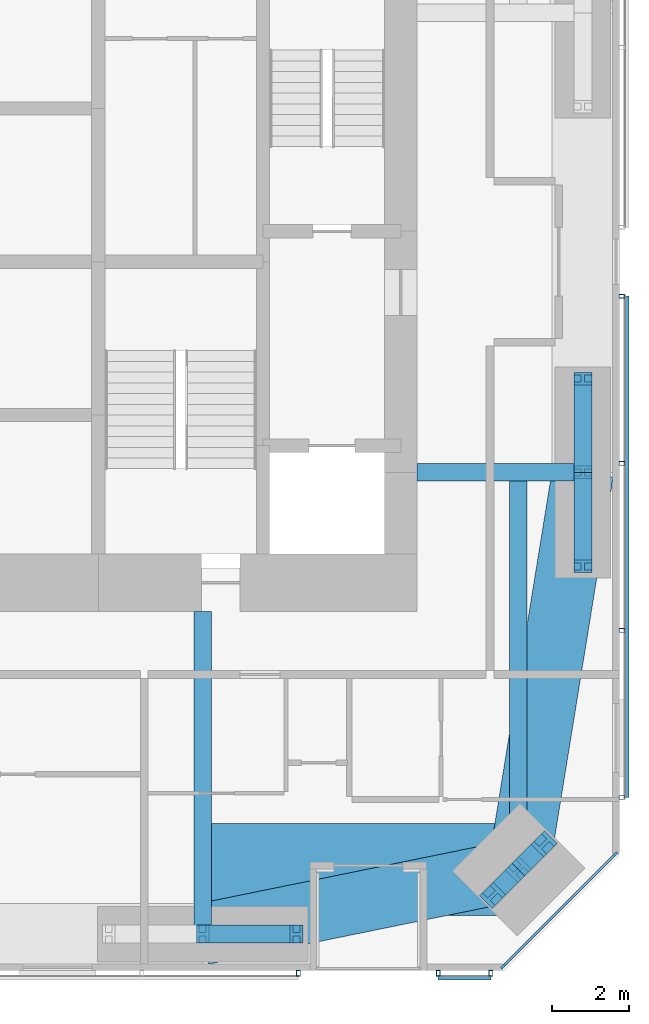
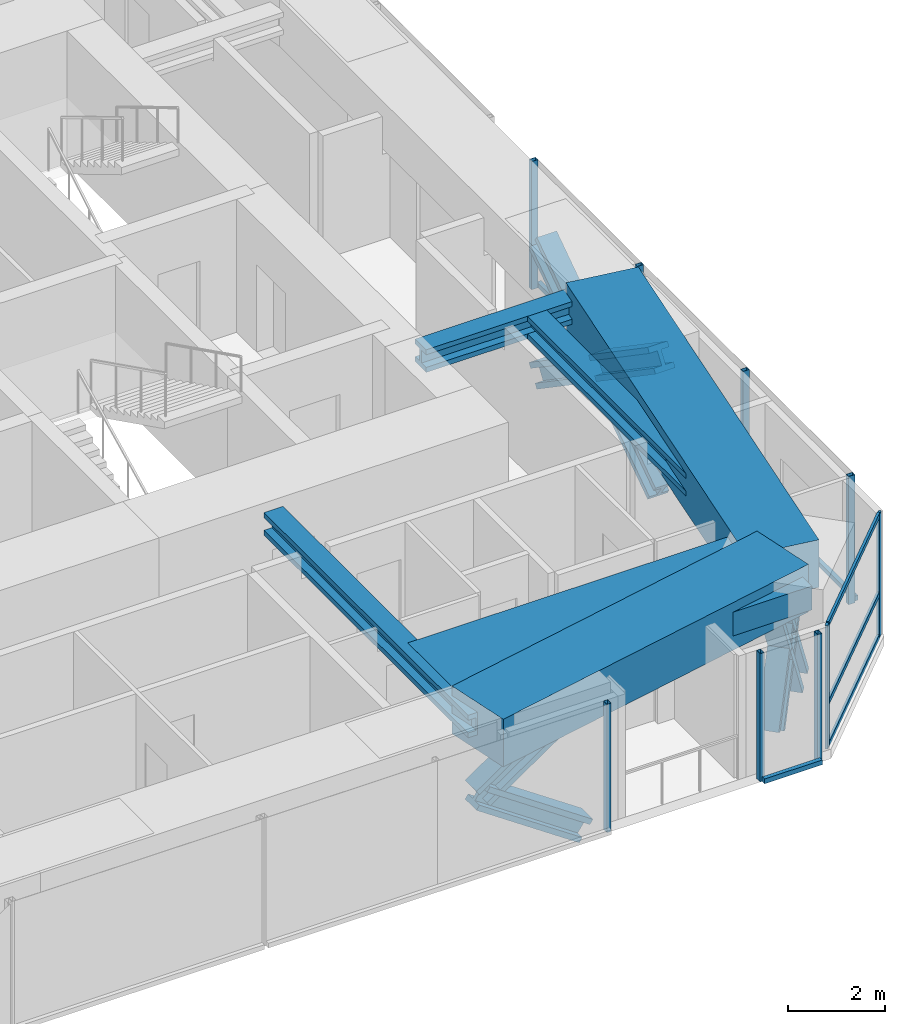
# One storey, part 8 of 23: 24 members, 6 beams, 4 elements without a shape of their own.
"""IFC4 building model written with IfcOpenShell, lengths in metres."""

from ifc_helpers import new_model, si_unit, direction, frame, origin, origin_2d, place, context, subcontext, project, spatial, rectangle, hollow_rectangle, i_section, extrude, material, material_profile, profile_set, type_object, element, aggregate, save


model = new_model("IFC4")

# Units and contexts
model_context = context("Model", 3, precision=1e-05, world=origin(), true_north=direction((0.0, 1.0)))
body_context = subcontext(model_context, "Body", "Model", "MODEL_VIEW")
ifc_project = project(units=[si_unit("LENGTHUNIT", "METRE"), si_unit("AREAUNIT", "SQUARE_METRE"), si_unit("VOLUMEUNIT", "CUBIC_METRE"), si_unit("PLANEANGLEUNIT", "RADIAN"), si_unit("MASSUNIT", "GRAM", prefix="KILO")], contexts=[model_context])

# Site, building, storey
site_placement = place(None, origin())
site = spatial("IfcSite", under=ifc_project, at=site_placement, CompositionType="ELEMENT")
building_placement = place(site_placement, origin())
building = spatial("IfcBuilding", under=site, at=building_placement, Name="Jalousie Tower", CompositionType="ELEMENT")
storey_placement = place(building_placement, frame((0.0, 0.0, 118.25)))
storey = spatial("IfcBuildingStorey", under=building, at=storey_placement, Name="L32", CompositionType="ELEMENT", Elevation=118.25)

# Curtain wall, members
ifc_material_1 = material(Name="Aluminium curtain wall", Category="aluminium")
curtain_wall_type_1 = type_object("IfcCurtainWallType", Name="CORNER WINDOW WALL", PredefinedType="USERDEFINED", material=ifc_material_1)
curtain_wall_1_placement = place(storey_placement, origin())
curtain_wall_1 = element("IfcCurtainWall", 1, at=curtain_wall_1_placement, inside=storey, type_object=curtain_wall_type_1, Name="Corner Window Wall L32 2", ObjectType="CORNER WINDOW WALL", PredefinedType="USERDEFINED")
ifc_material_2 = material(Name="Aluminium mullion", Category="aluminium")
ifc_material_profile_1 = material_profile(ifc_material_2, rectangle(XDim=0.06005859375, YDim=0.14990234375, at=origin_2d()), Name="MULLION 60x150")
ifc_profile_set_1 = profile_set([ifc_material_profile_1], Name="Aluminium mullion")
member_type_1 = type_object("IfcMemberType", Name="CORNER WINDOW WALL MULLION", PredefinedType="MULLION", material=ifc_profile_set_1)
member_1_placement = place(storey_placement, frame((46.469970703125, 0.108642578125, 0.0), z_axis=(0.0, 0.0, 1.0), x_axis=(-0.707106781187, 0.707106781187, 0.0)))
member_1 = element("IfcMember", 2, at=member_1_placement, type_object=member_type_1, Name="CW-C mullion 1", PredefinedType="MULLION", context=body_context, shape_type="SweptSolid", body=[
    extrude(rectangle(XDim=0.06005859375, YDim=0.14990234375, at=origin_2d()), origin(), (0.0, 0.0, 1.0), 3.110107421875),
])
member_2_placement = place(storey_placement, frame((49.391357421875, 3.030029296875, 0.0), z_axis=(0.0, 0.0, 1.0), x_axis=(-0.707106781187, 0.707106781187, 0.0)))
member_2 = element("IfcMember", 3, at=member_2_placement, type_object=member_type_1, Name="CW-C mullion 2", PredefinedType="MULLION", context=body_context, shape_type="SweptSolid", body=[
    extrude(rectangle(XDim=0.06005859375, YDim=0.14990234375, at=origin_2d()), origin(), (0.0, 0.0, 1.0), 3.110107421875),
])
ifc_material_3 = material(Name="Aluminium transom", Category="aluminium")
ifc_material_profile_2 = material_profile(ifc_material_3, rectangle(XDim=0.06005859375, YDim=0.1201171875, at=origin_2d()), Name="TRANSOM 60x120")
ifc_profile_set_2 = profile_set([ifc_material_profile_2], Name="Aluminium transom")
member_type_2 = type_object("IfcMemberType", Name="CORNER WINDOW WALL TRANSOM", PredefinedType="USERDEFINED", material=ifc_profile_set_2)
member_3_placement = place(storey_placement, frame((46.4912109375, 0.1298828125, 0.030029296875), z_axis=(0.707106781187, 0.707106781187, 0.0), x_axis=(-0.707106781187, 0.707106781187, 0.0)))
member_3 = element("IfcMember", 4, at=member_3_placement, type_object=member_type_2, Name="CW-C transom 1.1", ObjectType="TRANSOM", PredefinedType="USERDEFINED", context=body_context, shape_type="SweptSolid", body=[
    extrude(rectangle(XDim=0.06005859375, YDim=0.1201171875, at=origin_2d()), origin(), (0.0, 0.0, 1.0), 4.0712890625),
])
member_4_placement = place(storey_placement, frame((46.4912109375, 0.1298828125, 1.10009765625), z_axis=(0.707106781187, 0.707106781187, 0.0), x_axis=(-0.707106781187, 0.707106781187, 0.0)))
member_4 = element("IfcMember", 5, at=member_4_placement, type_object=member_type_2, Name="CW-C transom 1.2", ObjectType="TRANSOM", PredefinedType="USERDEFINED", context=body_context, shape_type="SweptSolid", body=[
    extrude(rectangle(XDim=0.06005859375, YDim=0.1201171875, at=origin_2d()), origin(), (0.0, 0.0, 1.0), 4.0712890625),
])
member_5_placement = place(storey_placement, frame((46.4912109375, 0.1298828125, 3.080078125), z_axis=(0.707106781187, 0.707106781187, 0.0), x_axis=(-0.707106781187, 0.707106781187, 0.0)))
member_5 = element("IfcMember", 6, at=member_5_placement, type_object=member_type_2, Name="CW-C transom 1.3", ObjectType="TRANSOM", PredefinedType="USERDEFINED", context=body_context, shape_type="SweptSolid", body=[
    extrude(rectangle(XDim=0.06005859375, YDim=0.1201171875, at=origin_2d()), origin(), (0.0, 0.0, 1.0), 4.0712890625),
])
aggregate(curtain_wall_1, [member_1, member_2, member_3, member_4, member_5])

# Beams
ifc_material_4 = material(Name="Steel ASTM A992 Grade 50", Category="steel")
ifc_material_profile_3 = material_profile(ifc_material_4, i_section(OverallWidth=0.45458984375, OverallDepth=0.569091796875, WebThickness=0.077880859375, FlangeThickness=0.124755859375, at=origin_2d()), Name="W14X730")
ifc_profile_set_3 = profile_set([ifc_material_profile_3], Name="Steel ASTM A992 Grade 50")
beam_type_1 = type_object("IfcBeamType", Name="LEAN COLLECTOR W14X730", PredefinedType="BEAM", material=ifc_profile_set_3)
beam_1_placement = place(storey_placement, frame((38.625, 0.949951171875, 2.825439453125), z_axis=(0.0, 1.0, 0.0), x_axis=(-1.0, 0.0, 0.0)))
element("IfcBeam", 7, at=beam_1_placement, inside=storey, type_object=beam_type_1, Name="Lean collector under L33", PredefinedType="BEAM", context=body_context, shape_type="SweptSolid", body=[
    extrude(i_section(OverallWidth=0.45458984375, OverallDepth=0.569091796875, WebThickness=0.077880859375, FlangeThickness=0.124755859375, at=origin_2d()), origin(), (0.0, 0.0, 1.0), 8.425048828125),
])
beam_2_placement = place(storey_placement, frame((48.550048828125, 13.0, 2.825439453125), z_axis=(-1.0, 0.0, 0.0), x_axis=(0.0, -1.0, 0.0)))
element("IfcBeam", 8, at=beam_2_placement, inside=storey, type_object=beam_type_1, Name="Lean collector under L33", PredefinedType="BEAM", context=body_context, shape_type="SweptSolid", body=[
    extrude(i_section(OverallWidth=0.45458984375, OverallDepth=0.569091796875, WebThickness=0.077880859375, FlangeThickness=0.124755859375, at=origin_2d()), origin(), (0.0, 0.0, 1.0), 4.324951171875),
])
beam_3_placement = place(storey_placement, frame((46.86865234375, 2.63134765625, 2.825439453125), z_axis=(0.0, 1.0, 0.0), x_axis=(-1.0, 0.0, 0.0)))
element("IfcBeam", 9, at=beam_3_placement, inside=storey, type_object=beam_type_1, Name="Lean collector under L33", PredefinedType="BEAM", context=body_context, shape_type="SweptSolid", body=[
    extrude(i_section(OverallWidth=0.45458984375, OverallDepth=0.569091796875, WebThickness=0.077880859375, FlangeThickness=0.124755859375, at=origin_2d()), origin(), (0.0, 0.0, 1.0), 10.36865234375),
])

# Members
ifc_material_5 = material(Name="Steel ASTM A992 Grade 50", Category="steel")
ifc_material_profile_4 = material_profile(ifc_material_5, i_section(OverallWidth=0.472412109375, OverallDepth=0.5791015625, WebThickness=0.094970703125, FlangeThickness=0.1298828125, at=origin_2d()), Name="W14X808")
ifc_profile_set_4 = profile_set([ifc_material_profile_4], Name="Steel ASTM A992 Grade 50")
member_type_3 = type_object("IfcMemberType", Name="PERIMETER BRACE W14X808", PredefinedType="BRACE", material=ifc_profile_set_4)
for number, where, z_axis, x_axis, name in (
    (10, (38.625, 0.949951171875, 1.074951171875), (0.825500916831, 0.0, 0.564400776321), (0.0, 1.0, 0.0), "Perimeter brace 04 L32 part 2"),
    (11, (41.074951171875, 0.949951171875, -0.60009765625), (-0.825500916831, 0.0, 0.564400776321), (0.0, -1.0, 0.0), "Perimeter brace 04 L32 part 3"),
):
    element("IfcMember", number, at=place(storey_placement, frame(where, z_axis=z_axis, x_axis=x_axis)), inside=storey, type_object=member_type_3, Name=name, PredefinedType="BRACE", context=body_context, shape_type="SweptSolid", body=[
        extrude(i_section(OverallWidth=0.472412109375, OverallDepth=0.5791015625, WebThickness=0.094970703125, FlangeThickness=0.1298828125, at=origin_2d()), origin(), (0.0, 0.0, 1.0), 2.9677734375),
    ])
for number, where, z_axis, x_axis, name in (
    (12, (46.197021484375, 1.959716796875, -0.60009765625), (0.348789058631, 0.348789058631, 0.869880672943), (-0.707106781187, 0.707106781187, 0.0), "Perimeter brace 05 L32 part 1"),
    (13, (46.86865234375, 2.63134765625, 1.074951171875), (0.348789058631, 0.348789058631, 0.869880672943), (-0.707106781187, 0.707106781187, 0.0), "Perimeter brace 05 L32 part 2"),
    (14, (47.540283203125, 3.302978515625, -0.60009765625), (-0.348789058631, -0.348789058631, 0.869880672943), (0.707106781187, -0.707106781187, 0.0), "Perimeter brace 05 L32 part 3"),
    (15, (46.86865234375, 2.63134765625, 1.074951171875), (-0.348789058631, -0.348789058631, 0.869880672943), (0.707106781187, -0.707106781187, 0.0), "Perimeter brace 05 L32 part 4"),
):
    element("IfcMember", number, at=place(storey_placement, frame(where, z_axis=z_axis, x_axis=x_axis)), inside=storey, type_object=member_type_3, Name=name, PredefinedType="BRACE", context=body_context, shape_type="SweptSolid", body=[
        extrude(i_section(OverallWidth=0.472412109375, OverallDepth=0.5791015625, WebThickness=0.094970703125, FlangeThickness=0.1298828125, at=origin_2d()), origin(), (0.0, 0.0, 1.0), 1.925537109375),
    ])
for number, where, z_axis, x_axis, name in (
    (16, (48.550048828125, 10.550048828125, -0.60009765625), (0.0, 0.825500916831, 0.564400776321), (-1.0, 0.0, 0.0), "Perimeter brace 06 L32 part 1"),
    (17, (48.550048828125, 13.0, 1.074951171875), (0.0, 0.825500916831, 0.564400776321), (-1.0, 0.0, 0.0), "Perimeter brace 06 L32 part 2"),
    (18, (48.550048828125, 15.449951171875, -0.60009765625), (0.0, -0.825500916831, 0.564400776321), (1.0, 0.0, 0.0), "Perimeter brace 06 L32 part 3"),
    (19, (48.550048828125, 13.0, 1.074951171875), (0.0, -0.825500916831, 0.564400776321), (1.0, 0.0, 0.0), "Perimeter brace 06 L32 part 4"),
):
    element("IfcMember", number, at=place(storey_placement, frame(where, z_axis=z_axis, x_axis=x_axis)), inside=storey, type_object=member_type_3, Name=name, PredefinedType="BRACE", context=body_context, shape_type="SweptSolid", body=[
        extrude(i_section(OverallWidth=0.472412109375, OverallDepth=0.5791015625, WebThickness=0.094970703125, FlangeThickness=0.1298828125, at=origin_2d()), origin(), (0.0, 0.0, 1.0), 2.9677734375),
    ])

# Beams
ifc_material_6 = material(Name="Concrete f'c 40 MPa", Category="concrete")
ifc_material_profile_5 = material_profile(ifc_material_6, rectangle(XDim=1.60009765625, YDim=1.199951171875, at=origin_2d()), Name="RC 1600x1200")
ifc_profile_set_5 = profile_set([ifc_material_profile_5], Name="Concrete f'c 40 MPa")
beam_type_2 = type_object("IfcBeamType", Name="RC BEAM 1600x1200", PredefinedType="BEAM", material=ifc_profile_set_5)
beam_4_placement = place(storey_placement, frame((38.625, 0.949951171875, 2.75), z_axis=(0.97982690954, 0.199848010602, 0.0), x_axis=(-0.199848010602, 0.97982690954, 0.0)))
element("IfcBeam", 20, at=beam_4_placement, inside=storey, type_object=beam_type_2, Name="Edge band beam 04-05 under L33", PredefinedType="BEAM", context=body_context, shape_type="SweptSolid", body=[
    extrude(rectangle(XDim=1.60009765625, YDim=1.199951171875, at=origin_2d()), origin(), (0.0, 0.0, 1.0), 8.413330078125),
])
beam_5_placement = place(storey_placement, frame((46.86865234375, 2.63134765625, 2.75), z_axis=(0.160070546476, 0.987105577003, 0.0), x_axis=(-0.987105577003, 0.160070546476, 0.0)))
element("IfcBeam", 21, at=beam_5_placement, inside=storey, type_object=beam_type_2, Name="Edge band beam 05-06 under L33", PredefinedType="BEAM", context=body_context, shape_type="SweptSolid", body=[
    extrude(rectangle(XDim=1.60009765625, YDim=1.199951171875, at=origin_2d()), origin(), (0.0, 0.0, 1.0), 10.504150390625),
])
ifc_material_7 = material(Name="Concrete f'c 40 MPa", Category="concrete")
ifc_material_profile_6 = material_profile(ifc_material_7, rectangle(XDim=2.39990234375, YDim=0.60009765625, at=origin_2d()), Name="RC 2400x600")
ifc_profile_set_6 = profile_set([ifc_material_profile_6], Name="Concrete f'c 40 MPa")
beam_type_3 = type_object("IfcBeamType", Name="RC BEAM 2400x600", PredefinedType="BEAM", material=ifc_profile_set_6)
beam_6_placement = place(storey_placement, frame((46.86865234375, 2.63134765625, 2.81005859375), z_axis=(-1.0, 0.0, 0.0), x_axis=(0.0, -1.0, 0.0)))
element("IfcBeam", 22, at=beam_6_placement, inside=storey, type_object=beam_type_3, Name="Floor band beam under L33", PredefinedType="BEAM", context=body_context, shape_type="SweptSolid", body=[
    extrude(rectangle(XDim=2.39990234375, YDim=0.60009765625, at=origin_2d()), origin(), (0.0, 0.0, 1.0), 8.24365234375),
])

# Curtain wall, member
ifc_material_8 = material(Name="Perforated aluminium sheet", Category="aluminium")
curtain_wall_type_2 = type_object("IfcCurtainWallType", Name="SOLAR SCREEN SS-1", PredefinedType="USERDEFINED", material=ifc_material_8)
curtain_wall_2_placement = place(storey_placement, origin())
curtain_wall_2 = element("IfcCurtainWall", 23, at=curtain_wall_2_placement, inside=storey, type_object=curtain_wall_type_2, Name="Solar screen L32", ObjectType="SOLAR SCREEN SS-1", PredefinedType="USERDEFINED")
ifc_material_9 = material(Name="Steel ASTM A500 Grade C", Category="steel")
ifc_material_profile_7 = material_profile(ifc_material_9, hollow_rectangle(XDim=0.1015625, YDim=0.15234375, WallThickness=0.00634765625, at=origin_2d()), Name="HSS6X4X1/4")
ifc_profile_set_7 = profile_set([ifc_material_profile_7], Name="Steel ASTM A500 Grade C")
member_type_4 = type_object("IfcMemberType", Name="SOLAR SCREEN SS-1 MULLION", PredefinedType="MULLION", material=ifc_profile_set_7)
member_6_placement = place(storey_placement, frame((41.125, -0.0712890625, -0.1201171875), z_axis=(0.0, 0.0, 1.0), x_axis=(1.0, 0.0, 0.0)))
member_6 = element("IfcMember", 24, at=member_6_placement, type_object=member_type_4, Name="SS1 post 3", PredefinedType="MULLION", context=body_context, shape_type="SweptSolid", body=[
    extrude(hollow_rectangle(XDim=0.1015625, YDim=0.15234375, WallThickness=0.00634765625, at=origin_2d()), origin(), (0.0, 0.0, 1.0), 3.230224609375),
])
aggregate(curtain_wall_2, [member_6])

# Curtain wall, members
curtain_wall_3_placement = place(storey_placement, origin())
curtain_wall_3 = element("IfcCurtainWall", 25, at=curtain_wall_3_placement, inside=storey, type_object=curtain_wall_type_2, Name="Solar screen L32", ObjectType="SOLAR SCREEN SS-1", PredefinedType="USERDEFINED")
member_7_placement = place(storey_placement, frame((44.77490234375, -0.0712890625, -0.1201171875), z_axis=(0.0, 0.0, 1.0), x_axis=(1.0, 0.0, 0.0)))
member_7 = element("IfcMember", 26, at=member_7_placement, type_object=member_type_4, Name="SS1 post 1", PredefinedType="MULLION", context=body_context, shape_type="SweptSolid", body=[
    extrude(hollow_rectangle(XDim=0.1015625, YDim=0.15234375, WallThickness=0.00634765625, at=origin_2d()), origin(), (0.0, 0.0, 1.0), 3.230224609375),
])
member_8_placement = place(storey_placement, frame((46.148681640625, -0.0712890625, -0.1201171875), z_axis=(0.0, 0.0, 1.0), x_axis=(1.0, 0.0, 0.0)))
member_8 = element("IfcMember", 27, at=member_8_placement, type_object=member_type_4, Name="SS1 post 2", PredefinedType="MULLION", context=body_context, shape_type="SweptSolid", body=[
    extrude(hollow_rectangle(XDim=0.1015625, YDim=0.15234375, WallThickness=0.00634765625, at=origin_2d()), origin(), (0.0, 0.0, 1.0), 3.230224609375),
])

curtain_wall_4_placement = place(storey_placement, origin())
curtain_wall_4 = element("IfcCurtainWall", 28, at=curtain_wall_4_placement, inside=storey, type_object=curtain_wall_type_2, Name="Solar screen L32", ObjectType="SOLAR SCREEN SS-1", PredefinedType="USERDEFINED")
member_9_placement = place(storey_placement, frame((49.5712890625, 4.513916015625, -0.1201171875), z_axis=(0.0, 0.0, 1.0), x_axis=(0.0, 1.0, 0.0)))
member_9 = element("IfcMember", 29, at=member_9_placement, type_object=member_type_4, Name="SS1 post 1", PredefinedType="MULLION", context=body_context, shape_type="SweptSolid", body=[
    extrude(hollow_rectangle(XDim=0.1015625, YDim=0.15234375, WallThickness=0.00634765625, at=origin_2d()), origin(), (0.0, 0.0, 1.0), 3.230224609375),
])
member_10_placement = place(storey_placement, frame((49.5712890625, 8.8759765625, -0.1201171875), z_axis=(0.0, 0.0, 1.0), x_axis=(0.0, 1.0, 0.0)))
member_10 = element("IfcMember", 30, at=member_10_placement, type_object=member_type_4, Name="SS1 post 2", PredefinedType="MULLION", context=body_context, shape_type="SweptSolid", body=[
    extrude(hollow_rectangle(XDim=0.1015625, YDim=0.15234375, WallThickness=0.00634765625, at=origin_2d()), origin(), (0.0, 0.0, 1.0), 3.230224609375),
])
member_11_placement = place(storey_placement, frame((49.5712890625, 13.23779296875, -0.1201171875), z_axis=(0.0, 0.0, 1.0), x_axis=(0.0, 1.0, 0.0)))
member_11 = element("IfcMember", 31, at=member_11_placement, type_object=member_type_4, Name="SS1 post 3", PredefinedType="MULLION", context=body_context, shape_type="SweptSolid", body=[
    extrude(hollow_rectangle(XDim=0.1015625, YDim=0.15234375, WallThickness=0.00634765625, at=origin_2d()), origin(), (0.0, 0.0, 1.0), 3.230224609375),
])
member_12_placement = place(storey_placement, frame((49.5712890625, 17.60009765625, -0.1201171875), z_axis=(0.0, 0.0, 1.0), x_axis=(0.0, 1.0, 0.0)))
member_12 = element("IfcMember", 32, at=member_12_placement, type_object=member_type_4, Name="SS1 post 4", PredefinedType="MULLION", context=body_context, shape_type="SweptSolid", body=[
    extrude(hollow_rectangle(XDim=0.1015625, YDim=0.15234375, WallThickness=0.00634765625, at=origin_2d()), origin(), (0.0, 0.0, 1.0), 3.230224609375),
])

# Member
ifc_material_10 = material(Name="Extruded aluminium screen rail", Category="aluminium")
ifc_material_profile_8 = material_profile(ifc_material_10, rectangle(XDim=0.1015625, YDim=0.1201171875, at=origin_2d()), Name="RAIL 102x120")
ifc_profile_set_8 = profile_set([ifc_material_profile_8], Name="Extruded aluminium screen rail")
member_type_5 = type_object("IfcMemberType", Name="SOLAR SCREEN SS-1 TRANSOM", PredefinedType="USERDEFINED", material=ifc_profile_set_8)
member_13_placement = place(storey_placement, frame((44.77490234375, -0.1982421875, -0.06005859375), z_axis=(1.0, 0.0, 0.0), x_axis=(0.0, 1.0, 0.0)))
member_13 = element("IfcMember", 33, at=member_13_placement, type_object=member_type_5, Name="SS1 rail", ObjectType="TRANSOM", PredefinedType="USERDEFINED", context=body_context, shape_type="SweptSolid", body=[
    extrude(rectangle(XDim=0.1015625, YDim=0.1201171875, at=origin_2d()), origin(), (0.0, 0.0, 1.0), 1.373779296875),
])

aggregate(curtain_wall_3, [member_7, member_8, member_13])

member_14_placement = place(storey_placement, frame((49.6982421875, 4.513916015625, -0.06005859375), z_axis=(0.0, 1.0, 0.0), x_axis=(-1.0, 0.0, 0.0)))
member_14 = element("IfcMember", 34, at=member_14_placement, type_object=member_type_5, Name="SS1 rail", ObjectType="TRANSOM", PredefinedType="USERDEFINED", context=body_context, shape_type="SweptSolid", body=[
    extrude(rectangle(XDim=0.1015625, YDim=0.1201171875, at=origin_2d()), origin(), (0.0, 0.0, 1.0), 13.086181640625),
])

aggregate(curtain_wall_4, [member_9, member_10, member_11, member_12, member_14])

save(model, "model.ifc")
